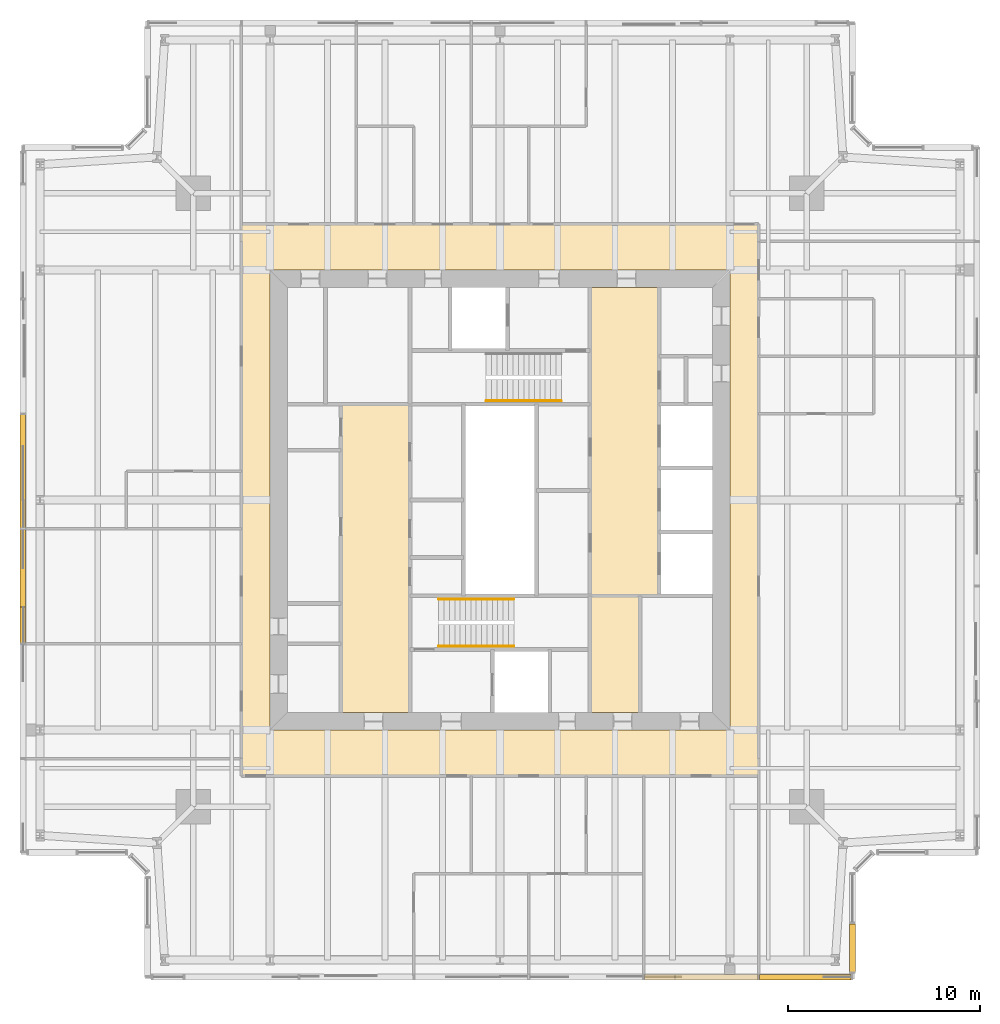
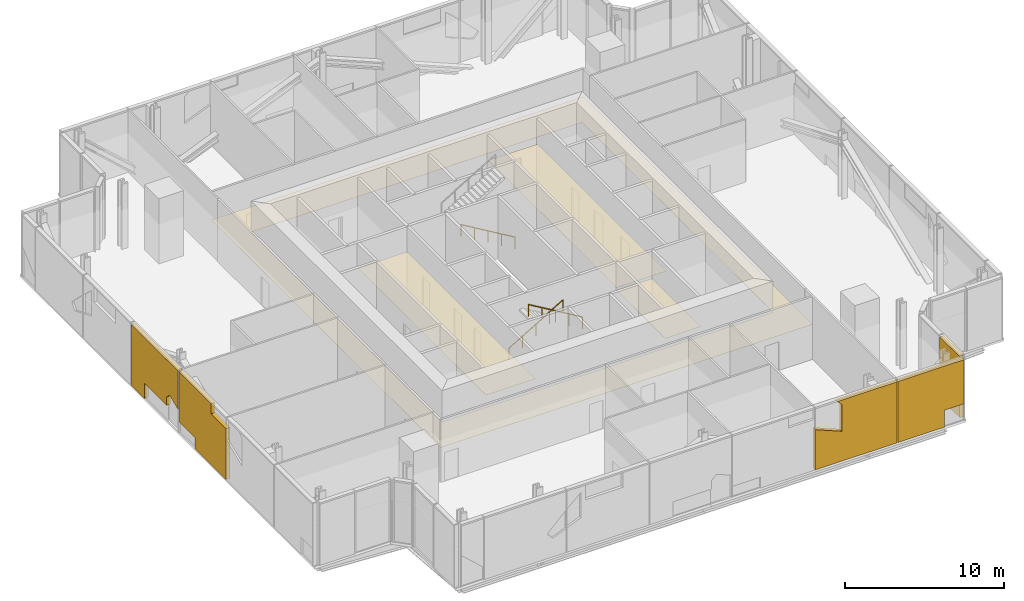
# One storey, part 12 of 15: 9 coverings, 3 railings.
"""IFC4 building model written with IfcOpenShell, lengths in metres."""

from ifc_helpers import new_model, si_unit, direction, frame, origin, origin_2d, place, context, subcontext, project, spatial, polyline, circle, outline, extrude, material, layer, layer_set, type_object, element, save


model = new_model("IFC4")

# Units and contexts
model_context = context("Model", 3, precision=1e-05, world=origin(), true_north=direction((0.0, 1.0)))
body_context = subcontext(model_context, "Body", "Model", "MODEL_VIEW")
ifc_project = project(units=[si_unit("LENGTHUNIT", "METRE"), si_unit("AREAUNIT", "SQUARE_METRE"), si_unit("VOLUMEUNIT", "CUBIC_METRE"), si_unit("PLANEANGLEUNIT", "RADIAN"), si_unit("MASSUNIT", "GRAM", prefix="KILO")], contexts=[model_context])

# Site, building, storey
site_placement = place(None, origin())
site = spatial("IfcSite", under=ifc_project, at=site_placement, CompositionType="ELEMENT")
building_placement = place(site_placement, origin())
building = spatial("IfcBuilding", under=site, at=building_placement, Name="Fenwick Lantern Interchange", CompositionType="ELEMENT")
storey_placement = place(building_placement, frame((0.0, 0.0, 296.800048828125)))
storey = spatial("IfcBuildingStorey", under=building, at=storey_placement, Name="L72", CompositionType="ELEMENT", Elevation=296.800048828125)

# Coverings
ifc_material_1 = material(Name="Granite cladding, warm grey flamed finish, on aluminium carrier frame", Category="masonry")
ifc_layer_1 = layer(ifc_material_1, 0.300048828125)
ifc_layer_set_1 = layer_set([ifc_layer_1], Name="BRACE CASING PANEL 300")
covering_type_1 = type_object("IfcCoveringType", Name="BRACE CASING PANEL 300", PredefinedType="CLADDING", material=ifc_layer_set_1)
covering_1_placement = place(storey_placement, frame((6.60009765625, 0.10009765625, 0.0), z_axis=(0.0, 0.0, 1.0), x_axis=(1.0, 0.0, 0.0)))
element("IfcCovering", 1, at=covering_1_placement, inside=storey, type_object=covering_type_1, Name="Brace casing 01 bay 05a", PredefinedType="CLADDING", context=body_context, shape_type="SweptSolid", body=[
    extrude(outline(polyline([(25.93994140625, 0.0), (31.860107421875, 0.0), (31.860107421875, 4.679931640625), (27.5244140625, 4.679931640625), (27.85693359375, 4.34765625), (27.85693359375, 2.28857421875), (25.93994140625, 3.087158203125), (25.93994140625, 0.0)])), frame((0.0, 0.14990234375, 0.0), z_axis=(0.0, -1.0, 0.0), x_axis=(1.0, 0.0, 0.0)), (0.0, 0.0, 1.0), 0.300048828125),
])
covering_2_placement = place(storey_placement, frame((6.60009765625, 0.10009765625, 0.0), z_axis=(0.0, 0.0, 1.0), x_axis=(1.0, 0.0, 0.0)))
element("IfcCovering", 2, at=covering_2_placement, inside=storey, type_object=covering_type_1, Name="Brace casing 01 bay 06a", PredefinedType="CLADDING", context=body_context, shape_type="SweptSolid", body=[
    extrude(outline(polyline([(31.93994140625, 0.0), (35.2939453125, 0.0), (35.2939453125, 1.29541015625), (36.719970703125, 1.29541015625), (36.719970703125, 4.679931640625), (31.93994140625, 4.679931640625), (31.93994140625, 0.0)])), frame((0.0, 0.14990234375, 0.0), z_axis=(0.0, -1.0, 0.0), x_axis=(1.0, 0.0, 0.0)), (0.0, 0.0, 1.0), 0.300048828125),
])
covering_3_placement = place(storey_placement, frame((43.39990234375, 0.10009765625, 0.0), z_axis=(0.0, 0.0, 1.0), x_axis=(0.0, 1.0, 0.0)))
element("IfcCovering", 3, at=covering_3_placement, inside=storey, type_object=covering_type_1, Name="Brace casing 02 bay 00a", PredefinedType="CLADDING", context=body_context, shape_type="SweptSolid", body=[
    extrude(outline(polyline([(0.280029296875, 0.0), (2.78076171875, 0.0), (2.78076171875, 4.679931640625), (0.280029296875, 4.679931640625), (0.280029296875, 0.0)])), frame((0.0, 0.14990234375, 0.0), z_axis=(0.0, -1.0, 0.0), x_axis=(1.0, 0.0, 0.0)), (0.0, 0.0, 1.0), 0.300048828125),
])
covering_4_placement = place(storey_placement, frame((0.10009765625, 43.39990234375, 0.0), z_axis=(0.0, 0.0, 1.0), x_axis=(0.0, -1.0, 0.0)))
element("IfcCovering", 4, at=covering_4_placement, inside=storey, type_object=covering_type_1, Name="Brace casing 13 bay 03a", PredefinedType="CLADDING", context=body_context, shape_type="SweptSolid", body=[
    extrude(outline(polyline([(13.93994140625, 0.0), (15.60498046875, 0.0), (15.60498046875, 1.164306640625), (18.39990234375, 1.164306640625), (18.39990234375, 1.804443359375), (18.770263671875, 2.174560546875), (19.860107421875, 1.720703125), (19.860107421875, 4.679931640625), (13.93994140625, 4.679931640625), (13.93994140625, 0.0)])), frame((0.0, 0.14990234375, 0.0), z_axis=(0.0, -1.0, 0.0), x_axis=(1.0, 0.0, 0.0)), (0.0, 0.0, 1.0), 0.300048828125),
])
covering_5_placement = place(storey_placement, frame((0.10009765625, 43.39990234375, 0.0), z_axis=(0.0, 0.0, 1.0), x_axis=(0.0, -1.0, 0.0)))
element("IfcCovering", 5, at=covering_5_placement, inside=storey, type_object=covering_type_1, Name="Brace casing 13 bay 04a", PredefinedType="CLADDING", context=body_context, shape_type="SweptSolid", body=[
    extrude(outline(polyline([(21.965087890625, 0.0), (25.860107421875, 0.0), (25.860107421875, 3.90087890625), (23.987548828125, 3.90087890625), (23.987548828125, 4.679931640625), (19.93994140625, 4.679931640625), (19.93994140625, 0.843505859375), (21.965087890625, 0.843505859375), (21.965087890625, 0.0)])), frame((0.0, 0.14990234375, 0.0), z_axis=(0.0, -1.0, 0.0), x_axis=(1.0, 0.0, 0.0)), (0.0, 0.0, 1.0), 0.300048828125),
])

# Railings
ifc_material_2 = material(Name="Stainless steel handrail", Category="steel")
railing_type = type_object("IfcRailingType", Name="HANDRAIL 900", PredefinedType="HANDRAIL", material=ifc_material_2)
railing_placement = place(storey_placement, frame((21.800048828125, 19.825927734375, 0.16650390625)))
element("IfcRailing", 6, at=railing_placement, inside=storey, type_object=railing_type, Name="L72/STAIR/ST1/HR1", PredefinedType="HANDRAIL", context=body_context, shape_type="SweptSolid", body=[
    extrude(circle(Radius=0.02392578125, at=origin_2d()), frame((0.0, 0.0, 0.8759765625), z_axis=(0.859272722373, 0.0, 0.511517730471), x_axis=(0.0, 1.0, 0.0)), (0.0, 0.0, 1.0), 4.56201171875),
    extrude(circle(Radius=0.02099609375, at=origin_2d()), origin(), (0.0, 0.0, 1.0), 0.851806640625),
    extrude(circle(Radius=0.02099609375, at=origin_2d()), frame((0.97998046875, 0.0, 0.58349609375)), (0.0, 0.0, 1.0), 0.851806640625),
    extrude(circle(Radius=0.02099609375, at=origin_2d()), frame((1.9599609375, 0.0, 1.166748046875)), (0.0, 0.0, 1.0), 0.851806640625),
    extrude(circle(Radius=0.02099609375, at=origin_2d()), frame((2.93994140625, 0.0, 1.75)), (0.0, 0.0, 1.0), 0.851806640625),
    extrude(circle(Radius=0.02099609375, at=origin_2d()), frame((3.919921875, 0.0, 2.33349609375)), (0.0, 0.0, 1.0), 0.851806640625),
])
for number, where, name in (
    (7, (25.719970703125, 17.3740234375, 2.66650390625), "L72/STAIR/ST1/HR2"),
    (8, (28.199951171875, 30.174072265625, 0.16650390625), "L72/STAIR/ST2/HR1"),
):
    element("IfcRailing", number, at=place(storey_placement, frame(where)), inside=storey, type_object=railing_type, Name=name, PredefinedType="HANDRAIL", context=body_context, shape_type="SweptSolid", body=[
        extrude(circle(Radius=0.02392578125, at=origin_2d()), frame((0.0, 0.0, 0.8759765625), z_axis=(-0.859272722373, 0.0, 0.511517730471), x_axis=(0.0, -1.0, 0.0)), (0.0, 0.0, 1.0), 4.56201171875),
        extrude(circle(Radius=0.02099609375, at=origin_2d()), origin(), (0.0, 0.0, 1.0), 0.851806640625),
        extrude(circle(Radius=0.02099609375, at=origin_2d()), frame((-0.97998046875, 0.0, 0.58349609375)), (0.0, 0.0, 1.0), 0.851806640625),
        extrude(circle(Radius=0.02099609375, at=origin_2d()), frame((-1.9599609375, 0.0, 1.166748046875)), (0.0, 0.0, 1.0), 0.851806640625),
        extrude(circle(Radius=0.02099609375, at=origin_2d()), frame((-2.93994140625, 0.0, 1.75)), (0.0, 0.0, 1.0), 0.851806640625),
        extrude(circle(Radius=0.02099609375, at=origin_2d()), frame((-3.919921875, 0.0, 2.33349609375)), (0.0, 0.0, 1.0), 0.851806640625),
    ])

# Coverings
ifc_material_3 = material(Name="Moisture resistant gypsum board on suspended frame, painted")
ifc_layer_2 = layer(ifc_material_3, 0.014892578125)
ifc_layer_set_2 = layer_set([ifc_layer_2], Name="MOISTURE RESISTANT CEILING 15")
covering_type_2 = type_object("IfcCoveringType", Name="MOISTURE RESISTANT CEILING 15", PredefinedType="CEILING", material=ifc_layer_set_2)
covering_6_placement = place(storey_placement, frame((0.0, 0.0, 2.599853515625)))
element("IfcCovering", 9, at=covering_6_placement, inside=storey, type_object=covering_type_2, Name="Men's WC ceiling", PredefinedType="CEILING", context=body_context, shape_type="SweptSolid", body=[
    extrude(outline(polyline([(29.699951171875, 13.89990234375), (32.300048828125, 13.89990234375), (32.300048828125, 20.0), (29.699951171875, 20.0), (29.699951171875, 13.89990234375)])), origin(), (0.0, 0.0, 1.0), 0.01513671875),
])
ifc_material_4 = material(Name="Gypsum plasterboard on suspended frame, painted")
ifc_layer_3 = layer(ifc_material_4, 0.014892578125)
ifc_layer_set_3 = layer_set([ifc_layer_3], Name="PLASTERBOARD CEILING 15")
covering_type_3 = type_object("IfcCoveringType", Name="PLASTERBOARD CEILING 15", PredefinedType="CEILING", material=ifc_layer_set_3)
covering_7_placement = place(storey_placement, frame((0.0, 0.0, 2.800048828125)))
element("IfcCovering", 10, at=covering_7_placement, inside=storey, type_object=covering_type_3, Name="Lift lobby ceiling", PredefinedType="CEILING", context=body_context, shape_type="SweptSolid", body=[
    extrude(outline(polyline([(16.699951171875, 13.89990234375), (20.300048828125, 13.89990234375), (20.300048828125, 30.0), (16.699951171875, 30.0), (16.699951171875, 13.89990234375)])), origin(), (0.0, 0.0, 1.0), 0.014892578125),
])
covering_8_placement = place(storey_placement, frame((0.0, 0.0, 2.800048828125)))
element("IfcCovering", 11, at=covering_8_placement, inside=storey, type_object=covering_type_3, Name="Lift lobby ceiling", PredefinedType="CEILING", context=body_context, shape_type="SweptSolid", body=[
    extrude(outline(polyline([(33.300048828125, 36.10009765625), (29.699951171875, 36.10009765625), (29.699951171875, 20.0), (33.300048828125, 20.0), (33.300048828125, 36.10009765625)])), origin(), (0.0, 0.0, 1.0), 0.014892578125),
])
covering_9_placement = place(storey_placement, frame((0.0, 0.0, 2.599853515625)))
element("IfcCovering", 12, at=covering_9_placement, inside=storey, type_object=covering_type_3, Name="Corridor ceiling", PredefinedType="CEILING", context=body_context, shape_type="SweptSolid", body=[
    extrude(outline(polyline([(38.5, 10.60009765625), (38.5, 39.39990234375), (11.5, 39.39990234375), (11.5, 10.60009765625), (38.5, 10.60009765625)]), holes=[polyline([(13.0, 37.0), (37.0, 37.0), (37.0, 13.0), (13.0, 13.0), (13.0, 37.0)])]), origin(), (0.0, 0.0, 1.0), 0.01513671875),
])

save(model, "model.ifc")
